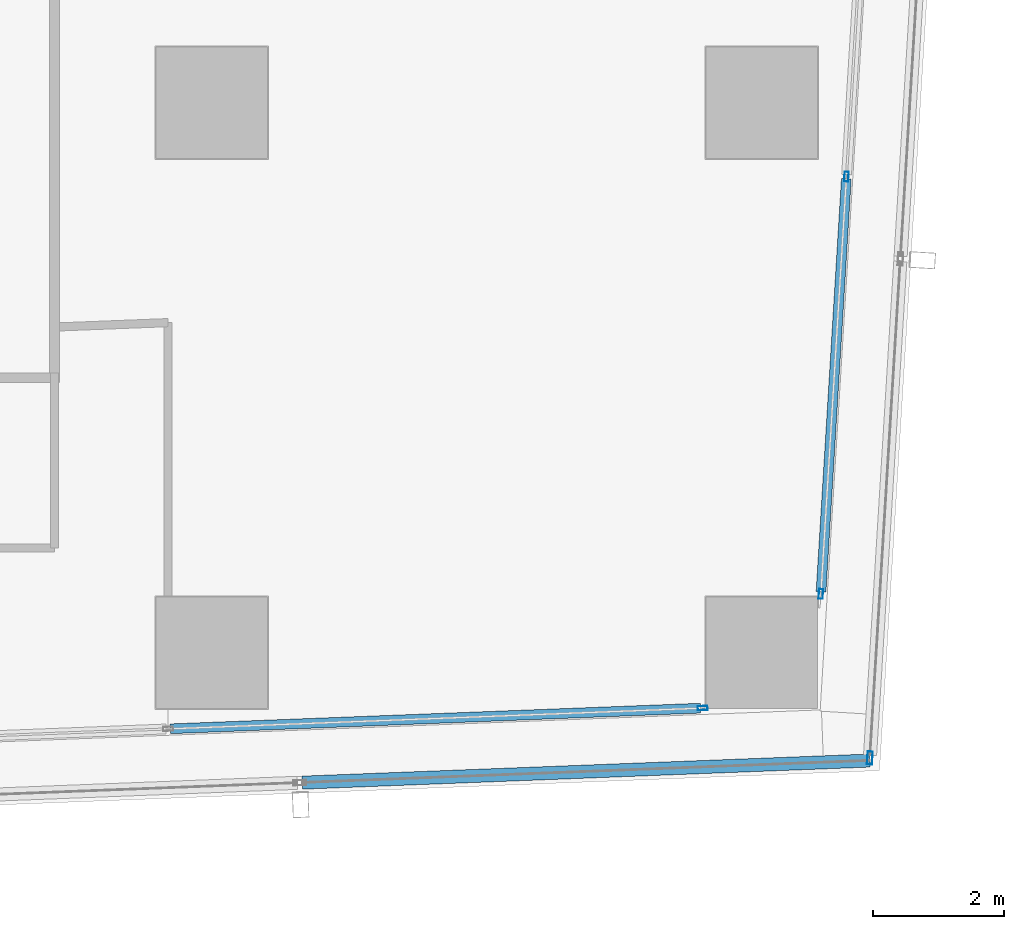
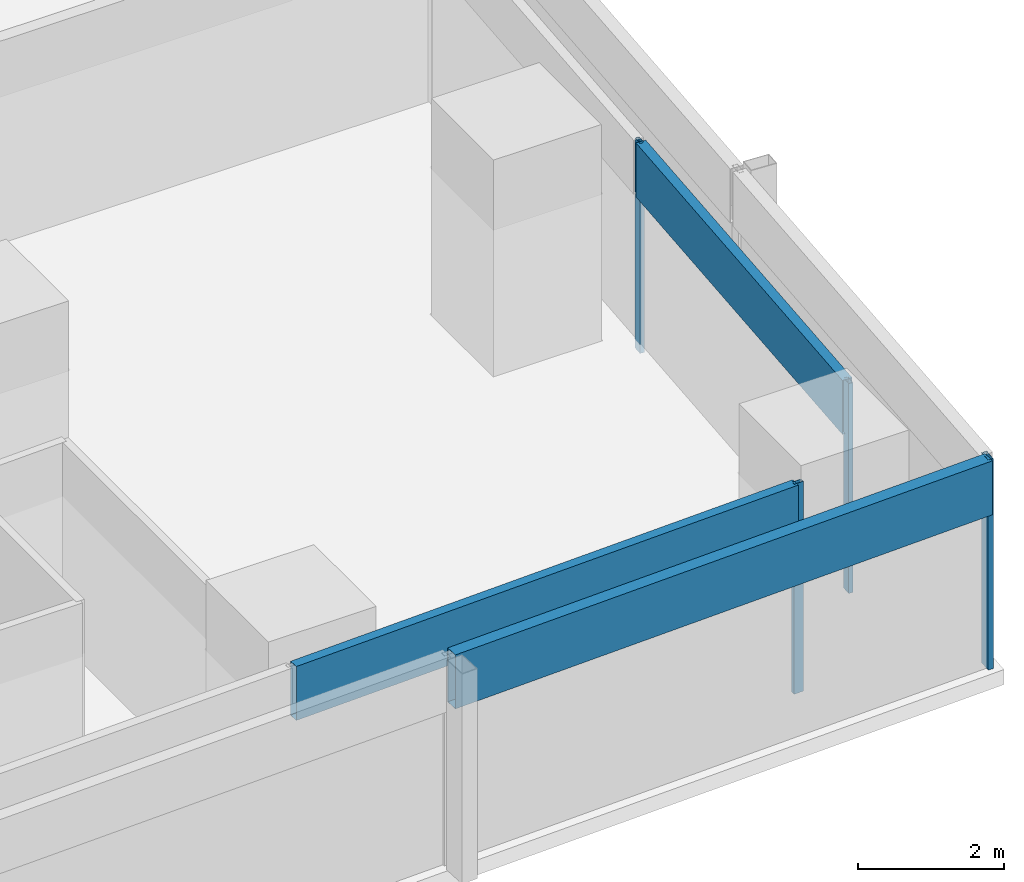
# One storey, part 12 of 40: 7 members, 4 elements without a shape of their own.
"""IFC4 building model written with IfcOpenShell, lengths in metres."""

from ifc_helpers import new_model, si_unit, direction, frame, origin, origin_2d, place, context, subcontext, project, spatial, hollow_rectangle, extrude, material, material_profile, profile_set, type_object, element, aggregate, save


model = new_model("IFC4")

# Units and contexts
model_context = context("Model", 3, precision=1e-05, world=origin(), true_north=direction((0.0, 1.0)))
body_context = subcontext(model_context, "Body", "Model", "MODEL_VIEW")
ifc_project = project(units=[si_unit("LENGTHUNIT", "METRE"), si_unit("AREAUNIT", "SQUARE_METRE"), si_unit("VOLUMEUNIT", "CUBIC_METRE"), si_unit("PLANEANGLEUNIT", "RADIAN"), si_unit("MASSUNIT", "GRAM", prefix="KILO")], contexts=[model_context])

# Site, building, storey
site_placement = place(None, origin())
site = spatial("IfcSite", under=ifc_project, at=site_placement, CompositionType="ELEMENT")
building_placement = place(site_placement, origin())
building = spatial("IfcBuilding", under=site, at=building_placement, Name="Rekha Terrace Tower", CompositionType="ELEMENT")
storey_placement = place(building_placement, frame((0.0, 0.0, 99.050048828125)))
storey = spatial("IfcBuildingStorey", under=building, at=storey_placement, Name="L24", CompositionType="ELEMENT", Elevation=99.050048828125)

# Curtain wall, member
ifc_material_1 = material(Name="Aluminium framing", Category="aluminium")
curtain_wall_type_1 = type_object("IfcCurtainWallType", Name="CW1 double skin inner glazing", PredefinedType="USERDEFINED", material=ifc_material_1)
curtain_wall_1_placement = place(storey_placement, origin())
curtain_wall_1 = element("IfcCurtainWall", 1, at=curtain_wall_1_placement, inside=storey, type_object=curtain_wall_type_1, Name="CW1 double skin inner glazing", ObjectType="DOUBLE SKIN INNER GLAZING", PredefinedType="USERDEFINED")
ifc_material_2 = material(Name="Aluminium mullion section", Category="aluminium")
ifc_material_profile_1 = material_profile(ifc_material_2, hollow_rectangle(XDim=0.06494140625, YDim=0.14990234375, WallThickness=0.00390625, at=origin_2d()), Name="AL RHS 65x150")
ifc_profile_set_1 = profile_set([ifc_material_profile_1], Name="Aluminium mullion section")
member_type_1 = type_object("IfcMemberType", Name="CW1 mullion RHS 65 x 150", PredefinedType="MULLION", material=ifc_profile_set_1)
member_1_placement = place(storey_placement, frame((66.29736328125, 15.95556640625, 0.0), z_axis=(0.0, 0.0, 1.0), x_axis=(-0.038889971345, 0.999243498917, 0.0)))
member_1 = element("IfcMember", 2, at=member_1_placement, type_object=member_type_1, Name="CW1 mullion 6", PredefinedType="MULLION", context=body_context, shape_type="SweptSolid", body=[
    extrude(hollow_rectangle(XDim=0.06494140625, YDim=0.14990234375, WallThickness=0.00390625, at=origin_2d()), origin(), (0.0, 0.0, 1.0), 3.5),
])

# Curtain wall, members
curtain_wall_2_placement = place(storey_placement, origin())
curtain_wall_2 = element("IfcCurtainWall", 3, at=curtain_wall_2_placement, inside=storey, type_object=curtain_wall_type_1, Name="CW1 double skin inner glazing", ObjectType="DOUBLE SKIN INNER GLAZING", PredefinedType="USERDEFINED")
member_2_placement = place(storey_placement, frame((68.103515625, 17.69921875, 0.0), z_axis=(0.0, 0.0, 1.0), x_axis=(-0.998127987026, 0.061159803096, 0.0)))
member_2 = element("IfcMember", 4, at=member_2_placement, type_object=member_type_1, Name="CW1 mullion 1", PredefinedType="MULLION", context=body_context, shape_type="SweptSolid", body=[
    extrude(hollow_rectangle(XDim=0.06494140625, YDim=0.14990234375, WallThickness=0.00390625, at=origin_2d()), origin(), (0.0, 0.0, 1.0), 3.5),
])
member_3_placement = place(storey_placement, frame((68.493896484375, 24.072509765625, 0.0), z_axis=(0.0, 0.0, 1.0), x_axis=(-0.998127987026, 0.061159803096, 0.0)))
member_3 = element("IfcMember", 5, at=member_3_placement, type_object=member_type_1, Name="CW1 mullion 2", PredefinedType="MULLION", context=body_context, shape_type="SweptSolid", body=[
    extrude(hollow_rectangle(XDim=0.06494140625, YDim=0.14990234375, WallThickness=0.00390625, at=origin_2d()), origin(), (0.0, 0.0, 1.0), 3.5),
])

# Member
ifc_material_3 = material(Name="Insulated aluminium spandrel box", Category="aluminium")
ifc_material_profile_2 = material_profile(ifc_material_3, hollow_rectangle(XDim=0.14990234375, YDim=0.89990234375, WallThickness=0.0029296875, at=origin_2d()), Name="AL SPANDREL BOX 150x900")
ifc_profile_set_2 = profile_set([ifc_material_profile_2], Name="Insulated aluminium spandrel box")
member_type_2 = type_object("IfcMemberType", Name="CW1 spandrel transom 150 x 900", PredefinedType="USERDEFINED", material=ifc_profile_set_2)
member_4_placement = place(storey_placement, frame((58.165771484375, 15.63916015625, 3.050048828125), z_axis=(0.999243585207, 0.038887754153, 0.0), x_axis=(-0.038887754153, 0.999243585207, 0.0)))
member_4 = element("IfcMember", 6, at=member_4_placement, type_object=member_type_2, Name="CW1 spandrel transom 5", ObjectType="TRANSOM", PredefinedType="USERDEFINED", context=body_context, shape_type="SweptSolid", body=[
    extrude(hollow_rectangle(XDim=0.14990234375, YDim=0.89990234375, WallThickness=0.0029296875, at=origin_2d()), origin(), (0.0, 0.0, 1.0), 8.10498046875),
])

aggregate(curtain_wall_1, [member_1, member_4])

member_5_placement = place(storey_placement, frame((68.10546875, 17.731689453125, 3.050048828125), z_axis=(0.061149333137, 0.998128628513, 0.0), x_axis=(-0.998128628513, 0.061149333137, 0.0)))
member_5 = element("IfcMember", 7, at=member_5_placement, type_object=member_type_2, Name="CW1 spandrel transom 1", ObjectType="TRANSOM", PredefinedType="USERDEFINED", context=body_context, shape_type="SweptSolid", body=[
    extrude(hollow_rectangle(XDim=0.14990234375, YDim=0.89990234375, WallThickness=0.0029296875, at=origin_2d()), origin(), (0.0, 0.0, 1.0), 6.320068359375),
])

aggregate(curtain_wall_2, [member_2, member_3, member_5])

# Curtain wall, member
curtain_wall_type_2 = type_object("IfcCurtainWallType", Name="CW2 double skin outer glazing", PredefinedType="USERDEFINED", material=ifc_material_1)
curtain_wall_3_placement = place(storey_placement, origin())
curtain_wall_3 = element("IfcCurtainWall", 8, at=curtain_wall_3_placement, inside=storey, type_object=curtain_wall_type_2, Name="CW2 double skin outer glazing", ObjectType="DOUBLE SKIN OUTER GLAZING", PredefinedType="USERDEFINED")
ifc_material_profile_3 = material_profile(ifc_material_2, hollow_rectangle(XDim=0.080078125, YDim=0.199951171875, WallThickness=0.00390625, at=origin_2d()), Name="AL RHS 80x200")
ifc_profile_set_3 = profile_set([ifc_material_profile_3], Name="Aluminium mullion section")
member_type_3 = type_object("IfcMemberType", Name="CW2 mullion RHS 80 x 200", PredefinedType="MULLION", material=ifc_profile_set_3)
member_6_placement = place(storey_placement, frame((68.8515625, 15.194091796875, 0.0), z_axis=(0.0, 0.0, 1.0), x_axis=(-0.998127987023, 0.061159803148, 0.0)))
member_6 = element("IfcMember", 9, at=member_6_placement, type_object=member_type_3, Name="CW2 mullion 1", PredefinedType="MULLION", context=body_context, shape_type="SweptSolid", body=[
    extrude(hollow_rectangle(XDim=0.080078125, YDim=0.199951171875, WallThickness=0.00390625, at=origin_2d()), origin(), (0.0, 0.0, 1.0), 3.5),
])
aggregate(curtain_wall_3, [member_6])

curtain_wall_4_placement = place(storey_placement, origin())
curtain_wall_4 = element("IfcCurtainWall", 10, at=curtain_wall_4_placement, inside=storey, type_object=curtain_wall_type_2, Name="CW2 double skin outer glazing", ObjectType="DOUBLE SKIN OUTER GLAZING", PredefinedType="USERDEFINED")
ifc_material_profile_4 = material_profile(ifc_material_3, hollow_rectangle(XDim=0.199951171875, YDim=0.89990234375, WallThickness=0.0029296875, at=origin_2d()), Name="AL SPANDREL BOX 200x900")
ifc_profile_set_4 = profile_set([ifc_material_profile_4], Name="Insulated aluminium spandrel box")
member_type_4 = type_object("IfcMemberType", Name="CW2 spandrel transom 200 x 900", PredefinedType="USERDEFINED", material=ifc_profile_set_4)
member_7_placement = place(storey_placement, frame((60.18408203125, 14.81689453125, 3.050048828125), z_axis=(0.99924276334, 0.038908866757, 0.0), x_axis=(-0.038908866757, 0.99924276334, 0.0)))
member_7 = element("IfcMember", 11, at=member_7_placement, type_object=member_type_4, Name="CW2 spandrel transom 5", ObjectType="TRANSOM", PredefinedType="USERDEFINED", context=body_context, shape_type="SweptSolid", body=[
    extrude(hollow_rectangle(XDim=0.199951171875, YDim=0.89990234375, WallThickness=0.0029296875, at=origin_2d()), origin(), (0.0, 0.0, 1.0), 8.671630859375),
])
aggregate(curtain_wall_4, [member_7])

save(model, "model.ifc")
